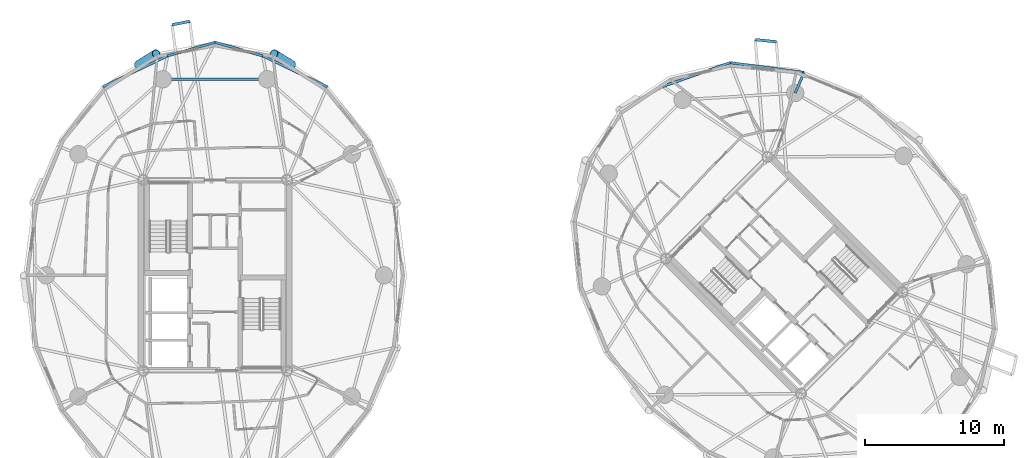
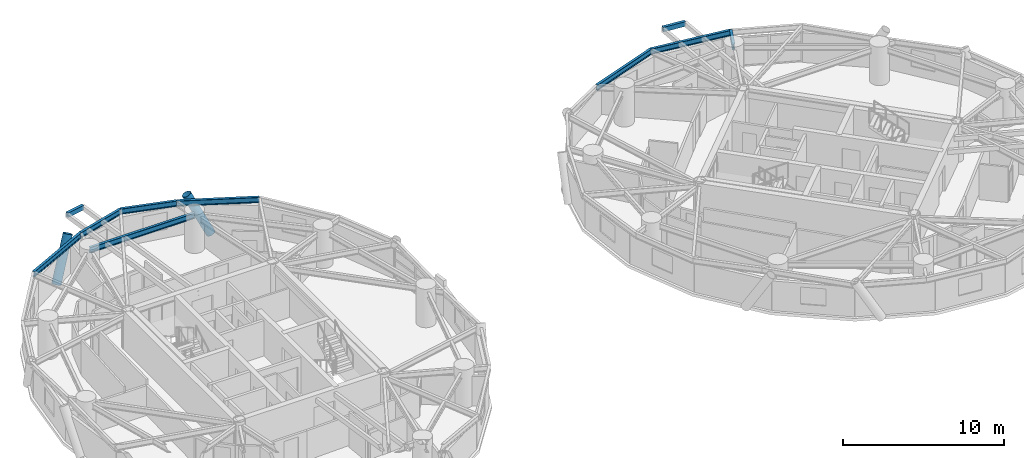
# One storey, part 6 of 17: 10 beams, 2 members.
"""IFC4 building model written with IfcOpenShell, lengths in metres."""

from ifc_helpers import new_model, si_unit, direction, frame, origin, origin_2d, place, context, subcontext, project, spatial, hollow_rectangle, hollow_circle, i_section, extrude, material, material_profile, profile_set, type_object, element, save


model = new_model("IFC4")

# Units and contexts
model_context = context("Model", 3, precision=1e-05, world=origin(), true_north=direction((0.0, 1.0)))
body_context = subcontext(model_context, "Body", "Model", "MODEL_VIEW")
ifc_project = project(units=[si_unit("LENGTHUNIT", "METRE"), si_unit("AREAUNIT", "SQUARE_METRE"), si_unit("VOLUMEUNIT", "CUBIC_METRE"), si_unit("PLANEANGLEUNIT", "RADIAN"), si_unit("MASSUNIT", "GRAM", prefix="KILO")], contexts=[model_context])

# Site, building, storey
site_placement = place(None, origin())
site = spatial("IfcSite", under=ifc_project, at=site_placement, CompositionType="ELEMENT")
building_placement = place(site_placement, origin())
building = spatial("IfcBuilding", under=site, at=building_placement, Name="Cununo Teusaquillo Station Towers", CompositionType="ELEMENT")
storey_placement = place(building_placement, frame((0.0, 0.0, 183.610107421875)))
storey = spatial("IfcBuildingStorey", under=building, at=storey_placement, Name="L58", CompositionType="ELEMENT", Elevation=183.610107421875)

# Beams
ifc_material_1 = material(Name="Steel ASTM A572 Grade 50", Category="steel")
ifc_material_profile_1 = material_profile(ifc_material_1, i_section(OverallWidth=0.180908203125, OverallDepth=0.4169921875, WebThickness=0.010986328125, FlangeThickness=0.018310546875, FilletRadius=0.012939453125, at=origin_2d()), Name="W16X57")
ifc_profile_set_1 = profile_set([ifc_material_profile_1], Name="Steel ASTM A572 Grade 50")
beam_type_1 = type_object("IfcBeamType", Name="BM-RAD-G2", PredefinedType="BEAM", material=ifc_profile_set_1)
beam_1_placement = place(storey_placement, frame((58.291015625, 37.63525390625, 2.4814453125), z_axis=(0.397381487564, 0.917653503966, 0.0), x_axis=(-0.917653503966, 0.397381487564, 0.0)))
element("IfcBeam", 1, at=beam_1_placement, inside=storey, type_object=beam_type_1, Name="L58 Tower B Perimeter Overhang Girder 02B", PredefinedType="BEAM", context=body_context, shape_type="SweptSolid", body=[
    extrude(i_section(OverallWidth=0.180908203125, OverallDepth=0.4169921875, WebThickness=0.010986328125, FlangeThickness=0.018310546875, FilletRadius=0.012939453125, at=origin_2d()), origin(), (0.0, 0.0, 1.0), 1.607177734375),
])
ifc_material_2 = material(Name="Steel ASTM A572 Grade 50", Category="steel")
ifc_material_profile_2 = material_profile(ifc_material_2, i_section(OverallWidth=0.180908203125, OverallDepth=0.4169921875, WebThickness=0.010986328125, FlangeThickness=0.018310546875, FilletRadius=0.012939453125, at=origin_2d()), Name="W16X57")
ifc_profile_set_2 = profile_set([ifc_material_profile_2], Name="Steel ASTM A572 Grade 50")
beam_type_2 = type_object("IfcBeamType", Name="BM-RING-Z3", PredefinedType="SPANDREL", material=ifc_profile_set_2)
beam_2_placement = place(storey_placement, frame((20.261474609375, 38.623291015625, 2.4814453125), z_axis=(-1.0, 0.0, 0.0), x_axis=(0.0, -1.0, 0.0)))
element("IfcBeam", 2, at=beam_2_placement, inside=storey, type_object=beam_type_2, Name="L58 Tower A Structural Column Ring Girder 03", PredefinedType="SPANDREL", context=body_context, shape_type="SweptSolid", body=[
    extrude(i_section(OverallWidth=0.180908203125, OverallDepth=0.4169921875, WebThickness=0.010986328125, FlangeThickness=0.018310546875, FilletRadius=0.012939453125, at=origin_2d()), origin(), (0.0, 0.0, 1.0), 7.52294921875),
])
beam_3_placement = place(storey_placement, frame((24.58251953125, 38.08349609375, 2.4814453125), z_axis=(-0.902031610991, 0.431669981319, 0.0), x_axis=(-0.431669981319, -0.902031610991, 0.0)))
element("IfcBeam", 3, at=beam_3_placement, inside=storey, type_object=beam_type_2, Name="L58 Tower A Spandrel Ring Beam 04", PredefinedType="SPANDREL", context=body_context, shape_type="SweptSolid", body=[
    extrude(i_section(OverallWidth=0.180908203125, OverallDepth=0.4169921875, WebThickness=0.010986328125, FlangeThickness=0.018310546875, FilletRadius=0.012939453125, at=origin_2d()), origin(), (0.0, 0.0, 1.0), 5.1552734375),
])
for number, where, z_axis, x_axis, name in (
    (4, (19.932373046875, 40.308837890625, 2.4814453125), (-0.961485227168, 0.274856613414, 0.0), (-0.274856613414, -0.961485227168, 0.0), "L58 Tower A Spandrel Ring Beam 05"),
    (5, (16.5, 41.2900390625, 2.4814453125), (-0.961485227168, -0.274856613414, 0.0), (0.274856613414, -0.961485227168, 0.0), "L58 Tower A Spandrel Ring Beam 06"),
):
    element("IfcBeam", number, at=place(storey_placement, frame(where, z_axis=z_axis, x_axis=x_axis)), inside=storey, type_object=beam_type_2, Name=name, PredefinedType="SPANDREL", context=body_context, shape_type="SweptSolid", body=[
        extrude(i_section(OverallWidth=0.180908203125, OverallDepth=0.4169921875, WebThickness=0.010986328125, FlangeThickness=0.018310546875, FilletRadius=0.012939453125, at=origin_2d()), origin(), (0.0, 0.0, 1.0), 3.56982421875),
    ])
beam_4_placement = place(storey_placement, frame((13.067626953125, 40.308837890625, 2.4814453125), z_axis=(-0.902031610991, -0.431669981319, 0.0), x_axis=(0.431669981319, -0.902031610991, 0.0)))
element("IfcBeam", 6, at=beam_4_placement, inside=storey, type_object=beam_type_2, Name="L58 Tower A Spandrel Ring Beam 07", PredefinedType="SPANDREL", context=body_context, shape_type="SweptSolid", body=[
    extrude(i_section(OverallWidth=0.180908203125, OverallDepth=0.4169921875, WebThickness=0.010986328125, FlangeThickness=0.018310546875, FilletRadius=0.012939453125, at=origin_2d()), origin(), (0.0, 0.0, 1.0), 5.1552734375),
])
beam_5_placement = place(storey_placement, frame((58.9296875, 39.110107421875, 2.4814453125), z_axis=(-0.991204443213, 0.132339532096, 0.0), x_axis=(-0.132339532096, -0.991204443213, 0.0)))
element("IfcBeam", 7, at=beam_5_placement, inside=storey, type_object=beam_type_2, Name="L58 Tower B Spandrel Ring Beam 03", PredefinedType="SPANDREL", context=body_context, shape_type="SweptSolid", body=[
    extrude(i_section(OverallWidth=0.180908203125, OverallDepth=0.4169921875, WebThickness=0.010986328125, FlangeThickness=0.018310546875, FilletRadius=0.012939453125, at=origin_2d()), origin(), (0.0, 0.0, 1.0), 5.366455078125),
])
beam_6_placement = place(storey_placement, frame((53.6103515625, 39.8203125, 2.4814453125), z_axis=(-0.943071614141, -0.332589733158, 0.0), x_axis=(0.332589733158, -0.943071614141, 0.0)))
element("IfcBeam", 8, at=beam_6_placement, inside=storey, type_object=beam_type_2, Name="L58 Tower B Spandrel Ring Beam 04", PredefinedType="SPANDREL", context=body_context, shape_type="SweptSolid", body=[
    extrude(i_section(OverallWidth=0.180908203125, OverallDepth=0.4169921875, WebThickness=0.010986328125, FlangeThickness=0.018310546875, FilletRadius=0.012939453125, at=origin_2d()), origin(), (0.0, 0.0, 1.0), 5.1552734375),
])
ifc_material_3 = material(Name="Steel EN 10025-2 S355J2", Category="steel")
ifc_material_profile_3 = material_profile(ifc_material_3, hollow_rectangle(XDim=0.199951171875, YDim=0.35009765625, WallThickness=0.013916015625, at=origin_2d()), Name="RHS 350x200x14")
ifc_profile_set_3 = profile_set([ifc_material_profile_3], Name="Steel EN 10025-2 S355J2")
beam_type_3 = type_object("IfcBeamType", Name="BM-STAIR-TRIM", PredefinedType="BEAM", material=ifc_profile_set_3)
beam_7_placement = place(storey_placement, frame((14.666015625, 42.795166015625, 2.52490234375), z_axis=(-0.981844538169, -0.189687381942, 0.0), x_axis=(0.189687381942, -0.981844538169, 0.0)))
element("IfcBeam", 9, at=beam_7_placement, inside=storey, type_object=beam_type_3, Name="L58 Tower A Balcony Edge Trimmer Beam 1", PredefinedType="BEAM", context=body_context, shape_type="SweptSolid", body=[
    extrude(hollow_rectangle(XDim=0.199951171875, YDim=0.35009765625, WallThickness=0.013916015625, at=origin_2d()), origin(), (0.0, 0.0, 1.0), 1.29345703125),
])
beam_8_placement = place(storey_placement, frame((56.93017578125, 41.324951171875, 2.52490234375), z_axis=(-0.995128963783, 0.098581668887, 0.0), x_axis=(-0.098581668887, -0.995128963783, 0.0)))
element("IfcBeam", 10, at=beam_8_placement, inside=storey, type_object=beam_type_3, Name="L58 Tower B Balcony Edge Trimmer Beam 1", PredefinedType="BEAM", context=body_context, shape_type="SweptSolid", body=[
    extrude(hollow_rectangle(XDim=0.199951171875, YDim=0.35009765625, WallThickness=0.013916015625, at=origin_2d()), origin(), (0.0, 0.0, 1.0), 1.5205078125),
])

# Members
ifc_material_4 = material(Name="Steel EN 10025-2 S355J2", Category="steel")
ifc_material_profile_4 = material_profile(ifc_material_4, hollow_circle(Radius=0.304931640625, WallThickness=0.02001953125, at=origin_2d()), Name="CHS 610x20")
ifc_profile_set_4 = profile_set([ifc_material_profile_4], Name="Steel EN 10025-2 S355J2")
member_type = type_object("IfcMemberType", Name="MBR-DIAG-Z3", PredefinedType="BRACE", material=ifc_profile_set_4)
for number, where, z_axis, x_axis, name in (
    (11, (22.027099609375, 39.67333984375, -0.14013671875), (-0.390055565185, 0.24264824613, 0.888244608606), (-0.528218719344, -0.849108346758, 0.0), "L58 Tower A Folded-Zigzag Diagrid Tube C03"),
    (12, (10.972900390625, 39.67333984375, -0.14013671875), (0.390055565185, 0.24264824613, 0.888244608606), (-0.528218719344, 0.849108346758, 0.0), "L58 Tower A Folded-Zigzag Diagrid Tube C06"),
):
    element("IfcMember", number, at=place(storey_placement, frame(where, z_axis=z_axis, x_axis=x_axis)), inside=storey, type_object=member_type, Name=name, PredefinedType="BRACE", context=body_context, shape_type="SweptSolid", body=[
        extrude(hollow_circle(Radius=0.304931640625, WallThickness=0.02001953125, at=origin_2d()), origin(), (0.0, 0.0, 1.0), 3.276123046875),
    ])

save(model, "model.ifc")
